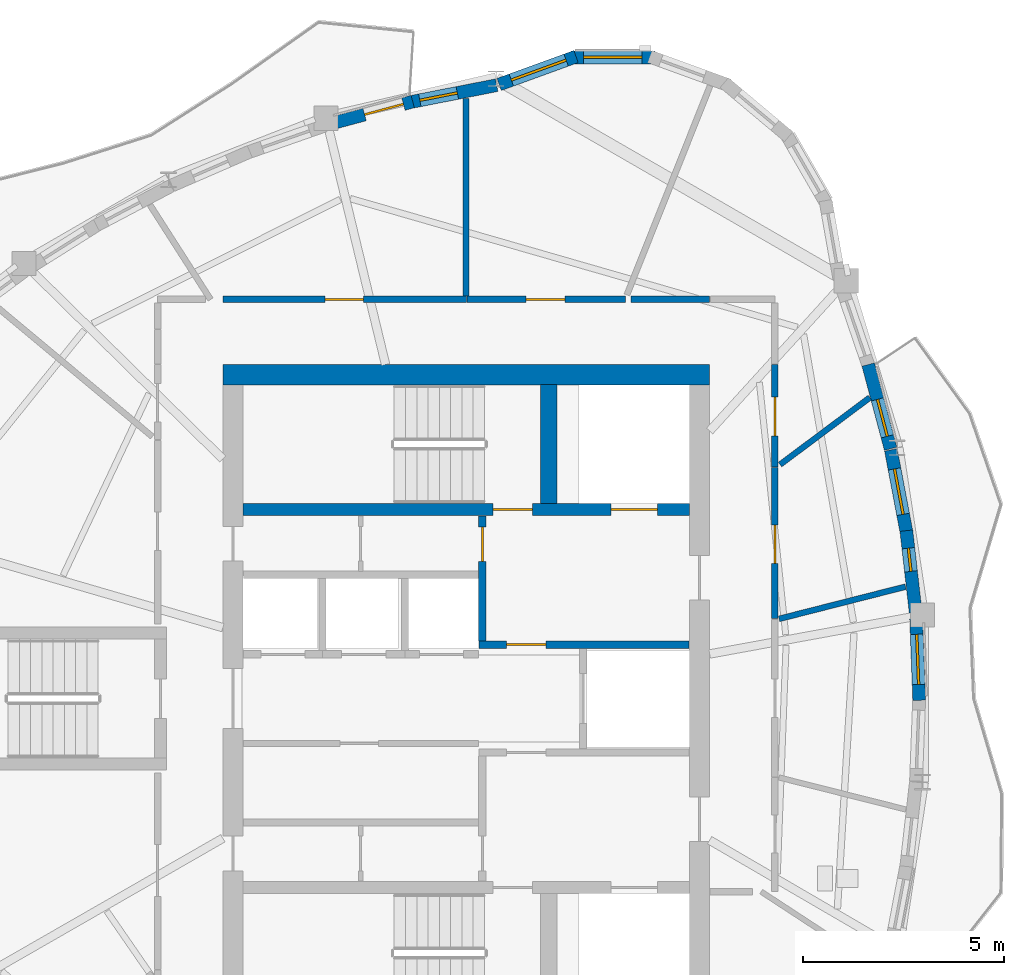
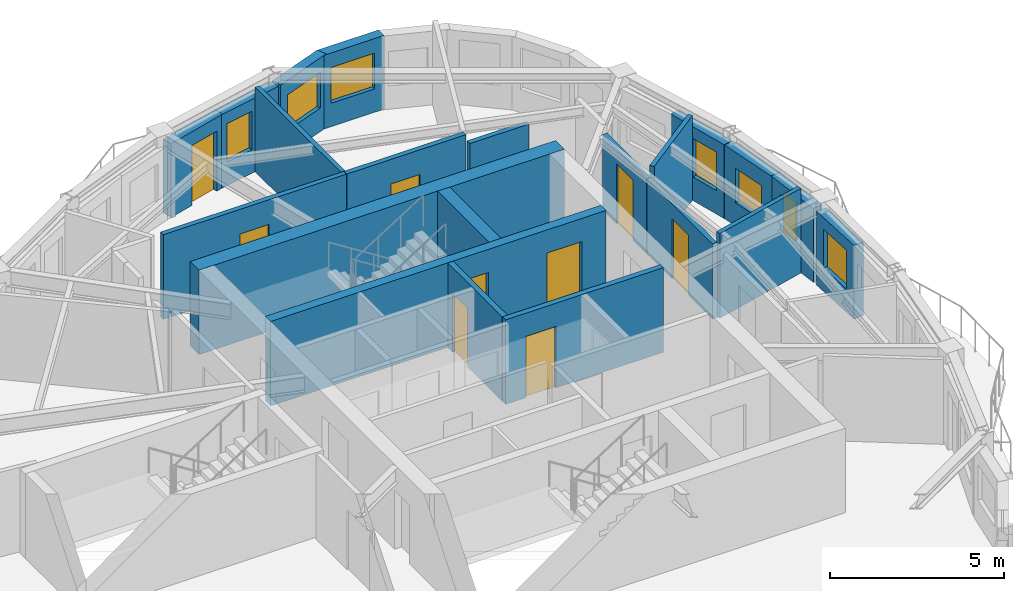
# One storey, part 6 of 11: 21 walls, 9 doors, 7 windows, 16 openings.
"""IFC4 building model written with IfcOpenShell, lengths in metres."""

from ifc_helpers import new_model, si_unit, direction, frame, frame_2d, origin, place, context, subcontext, project, spatial, rectangle, extrude, source, transform, mapped, material, layer, layer_set, type_object, element, fill, save


model = new_model("IFC4")

# Units and contexts
model_context = context("Model", 3, precision=1e-05, world=origin(), true_north=direction((0.0, 1.0)))
body_context = subcontext(model_context, "Body", "Model", "MODEL_VIEW")
ifc_project = project(units=[si_unit("LENGTHUNIT", "METRE"), si_unit("AREAUNIT", "SQUARE_METRE"), si_unit("VOLUMEUNIT", "CUBIC_METRE"), si_unit("PLANEANGLEUNIT", "RADIAN"), si_unit("MASSUNIT", "GRAM", prefix="KILO")], contexts=[model_context])

# Site, building, storey
site_placement = place(None, origin())
site = spatial("IfcSite", under=ifc_project, at=site_placement, CompositionType="ELEMENT")
building_placement = place(site_placement, origin())
building = spatial("IfcBuilding", under=site, at=building_placement, Name="Qafzar Sky-Pleat Residences", CompositionType="ELEMENT")
storey_placement = place(building_placement, frame((0.0, 0.0, 240.39990234375)))
storey = spatial("IfcBuildingStorey", under=building, at=storey_placement, Name="L72", CompositionType="ELEMENT", Elevation=240.39990234375)

# Wall, opening, door
ifc_material_1 = material(Name="Acoustic gypsum plasterboard partition", Category="gypsum")
ifc_layer_1 = layer(ifc_material_1, 0.159912109375)
ifc_layer_set_1 = layer_set([ifc_layer_1], Name="Acoustic gypsum plasterboard partition")
wall_type_1 = type_object("IfcWallType", Name="PART-COR-160", PredefinedType="PARTITIONING", material=ifc_layer_set_1)
wall_1_placement = place(storey_placement, frame((24.300048828125, 35.919921875, 0.0), z_axis=(0.0, 0.0, 1.0), x_axis=(1.0, 0.0, 0.0)))
wall_1 = element("IfcWall", 1, at=wall_1_placement, inside=storey, type_object=wall_type_1, Name="L72 Partition Wall PART-L72-PW-001", PredefinedType="PARTITIONING", context=body_context, shape_type="SweptSolid", body=[
    extrude(rectangle(XDim=6.057861328125, YDim=0.159912109375, at=frame_2d((3.02880859375, 0.0))), origin(), (0.0, 0.0, 1.0), 2.960205078125),
])
opening_1_placement = place(wall_1_placement, frame((2.54150390625, 0.0, 0.0)))
opening_1 = element("IfcOpeningElement", 2, at=opening_1_placement, cuts=wall_1, Name="Opening ID-06", PredefinedType="OPENING", context=body_context, shape_type="SweptSolid", body=[
    extrude(rectangle(XDim=0.9599609375, YDim=2.10009765625, at=frame_2d((0.47998046875, 1.050048828125))), frame((0.0, 0.08984375, 0.0), z_axis=(0.0, -1.0, 0.0), x_axis=(1.0, 0.0, 0.0)), (0.0, 0.0, 1.0), 0.179931640625),
])
ifc_material_2 = material(Name="Timber-faced fire door", Category="wood")
door_type_1 = type_object("IfcDoorType", Name="DR-STD-960", OperationType="NOTDEFINED", PredefinedType="DOOR", material=ifc_material_2)
shared_shape_1 = source(origin(), body_context, "Body", "SweptSolid", [
    extrude(rectangle(XDim=0.9599609375, YDim=2.10009765625, at=frame_2d((0.47998046875, 1.050048828125))), frame((0.0, 0.02490234375, 0.0), z_axis=(0.0, -1.0, 0.0), x_axis=(1.0, 0.0, 0.0)), (0.0, 0.0, 1.0), 0.050048828125),
])
door_1_placement = place(opening_1_placement, origin())
door_1 = element("IfcDoor", 3, at=door_1_placement, inside=storey, type_object=door_type_1, Name="L72 Faculty Research Office Door", OperationType="SINGLE_SWING_LEFT", OverallHeight=2.10009765625, OverallWidth=0.9599609375, PredefinedType="DOOR", context=body_context, shape_type="MappedRepresentation", body=[
    mapped(shared_shape_1, transform((0.0, 0.0, 0.0), x_axis=(1.0, 0.0, 0.0), y_axis=(0.0, 1.0, 0.0), z_axis=(0.0, 0.0, 1.0), scale=1.0)),
])
fill(opening_1, door_1)

wall_2_placement = place(storey_placement, frame((30.373046875, 35.919921875, 0.0), z_axis=(0.0, 0.0, 1.0), x_axis=(1.0, 0.0, 0.0)))
wall_2 = element("IfcWall", 4, at=wall_2_placement, inside=storey, type_object=wall_type_1, Name="L72 Partition Wall PART-L72-PW-004", PredefinedType="PARTITIONING", context=body_context, shape_type="SweptSolid", body=[
    extrude(rectangle(XDim=3.93994140625, YDim=0.159912109375, at=frame_2d((1.969970703125, 0.0))), origin(), (0.0, 0.0, 1.0), 2.960205078125),
])
opening_2_placement = place(wall_2_placement, frame((1.467041015625, 0.0, 0.0)))
opening_2 = element("IfcOpeningElement", 5, at=opening_2_placement, cuts=wall_2, Name="Opening ID-06", PredefinedType="OPENING", context=body_context, shape_type="SweptSolid", body=[
    extrude(rectangle(XDim=0.9599609375, YDim=2.10009765625, at=frame_2d((0.47998046875, 1.050048828125))), frame((0.0, 0.08984375, 0.0), z_axis=(0.0, -1.0, 0.0), x_axis=(1.0, 0.0, 0.0)), (0.0, 0.0, 1.0), 0.179931640625),
])
door_2_placement = place(opening_2_placement, origin())
door_2 = element("IfcDoor", 6, at=door_2_placement, inside=storey, type_object=door_type_1, Name="L72 Reading Library Door", OperationType="SINGLE_SWING_LEFT", OverallHeight=2.10009765625, OverallWidth=0.9599609375, PredefinedType="DOOR", context=body_context, shape_type="MappedRepresentation", body=[
    mapped(shared_shape_1, transform((0.0, 0.0, 0.0), x_axis=(1.0, 0.0, 0.0), y_axis=(0.0, 1.0, 0.0), z_axis=(0.0, 0.0, 1.0), scale=1.0)),
])
fill(opening_2, door_2)

wall_3_placement = place(storey_placement, frame((38.02001953125, 31.739013671875, 0.0), z_axis=(0.0, 0.0, 1.0), x_axis=(0.0, -1.0, 0.0)))
wall_3 = element("IfcWall", 7, at=wall_3_placement, inside=storey, type_object=wall_type_1, Name="L72 Partition Wall PART-L72-PW-006", PredefinedType="PARTITIONING", context=body_context, shape_type="SweptSolid", body=[
    extrude(rectangle(XDim=3.755126953125, YDim=0.159912109375, at=frame_2d((1.87744140625, 0.0))), origin(), (0.0, 0.0, 1.0), 2.628173828125),
])
opening_3_placement = place(wall_3_placement, frame((1.422119140625, 0.0, 0.0)))
opening_3 = element("IfcOpeningElement", 8, at=opening_3_placement, cuts=wall_3, Name="Opening ID-06", PredefinedType="OPENING", context=body_context, shape_type="SweptSolid", body=[
    extrude(rectangle(XDim=0.9599609375, YDim=2.10009765625, at=frame_2d((0.47998046875, 1.050048828125))), frame((0.0, 0.08984375, 0.0), z_axis=(0.0, -1.0, 0.0), x_axis=(1.0, 0.0, 0.0)), (0.0, 0.0, 1.0), 0.179931640625),
])
door_3_placement = place(opening_3_placement, origin())
door_3 = element("IfcDoor", 9, at=door_3_placement, inside=storey, type_object=door_type_1, Name="L72 Music Practice Room Door", OperationType="SINGLE_SWING_LEFT", OverallHeight=2.10009765625, OverallWidth=0.9599609375, PredefinedType="DOOR", context=body_context, shape_type="MappedRepresentation", body=[
    mapped(shared_shape_1, transform((0.0, 0.0, 0.0), x_axis=(1.0, 0.0, 0.0), y_axis=(0.0, 1.0, 0.0), z_axis=(0.0, 0.0, 1.0), scale=1.0)),
])
fill(opening_3, door_3)

wall_4_placement = place(storey_placement, frame((38.02001953125, 31.75390625, 0.0), z_axis=(0.0, 0.0, 1.0), x_axis=(0.0, 1.0, 0.0)))
wall_4 = element("IfcWall", 10, at=wall_4_placement, inside=storey, type_object=wall_type_1, Name="L72 Partition Wall PART-L72-PW-008", PredefinedType="PARTITIONING", context=body_context, shape_type="SweptSolid", body=[
    extrude(rectangle(XDim=2.546142578125, YDim=0.159912109375, at=frame_2d((1.27294921875, 0.0))), origin(), (0.0, 0.0, 1.0), 2.628173828125),
])
opening_4_placement = place(wall_4_placement, frame((0.77587890625, 0.0, 0.0)))
opening_4 = element("IfcOpeningElement", 11, at=opening_4_placement, cuts=wall_4, Name="Opening ID-06", PredefinedType="OPENING", context=body_context, shape_type="SweptSolid", body=[
    extrude(rectangle(XDim=0.9599609375, YDim=2.10009765625, at=frame_2d((0.47998046875, 1.050048828125))), frame((0.0, 0.08984375, 0.0), z_axis=(0.0, -1.0, 0.0), x_axis=(1.0, 0.0, 0.0)), (0.0, 0.0, 1.0), 0.179931640625),
])
door_4_placement = place(opening_4_placement, origin())
door_4 = element("IfcDoor", 12, at=door_4_placement, inside=storey, type_object=door_type_1, Name="L72 Wellness Yoga Studio Door", OperationType="SINGLE_SWING_LEFT", OverallHeight=2.10009765625, OverallWidth=0.9599609375, PredefinedType="DOOR", context=body_context, shape_type="MappedRepresentation", body=[
    mapped(shared_shape_1, transform((0.0, 0.0, 0.0), x_axis=(1.0, 0.0, 0.0), y_axis=(0.0, 1.0, 0.0), z_axis=(0.0, 0.0, 1.0), scale=1.0)),
])
fill(opening_4, door_4)

# Wall
wall_5_placement = place(storey_placement, frame((34.44580078125, 35.919921875, 0.0), z_axis=(0.0, 0.0, 1.0), x_axis=(1.0, 0.0, 0.0)))
element("IfcWall", 13, at=wall_5_placement, inside=storey, type_object=wall_type_1, Name="L72 Partition Wall PART-L72-PW-021", PredefinedType="PARTITIONING", context=body_context, shape_type="SweptSolid", body=[
    extrude(rectangle(XDim=1.9541015625, YDim=0.159912109375, at=frame_2d((0.97705078125, 0.0))), origin(), (0.0, 0.0, 1.0), 2.59814453125),
])

# Wall, opening, door
ifc_material_3 = material(Name="Concrete blockwork partition", Category="masonry")
ifc_layer_2 = layer(ifc_material_3, 0.179931640625)
ifc_layer_set_2 = layer_set([ifc_layer_2], Name="Concrete blockwork partition")
wall_type_2 = type_object("IfcWallType", Name="PART-SHAFT-180", PredefinedType="PARTITIONING", material=ifc_layer_set_2)
wall_6_placement = place(storey_placement, frame((30.75, 27.429931640625, 0.0), z_axis=(0.0, 0.0, 1.0), x_axis=(0.0, 1.0, 0.0)))
wall_6 = element("IfcWall", 14, at=wall_6_placement, inside=storey, type_object=wall_type_2, Name="L72 Partition Wall PART-L72-FFL2-W", PredefinedType="PARTITIONING", context=body_context, shape_type="SweptSolid", body=[
    extrude(rectangle(XDim=3.110107421875, YDim=0.179931640625, at=frame_2d((1.55517578125, 0.0))), origin(), (0.0, 0.0, 1.0), 2.960205078125),
])
opening_5_placement = place(wall_6_placement, frame((1.97998046875, 0.0, 0.0)))
opening_5 = element("IfcOpeningElement", 15, at=opening_5_placement, cuts=wall_6, Name="Opening ID-09", PredefinedType="OPENING", context=body_context, shape_type="SweptSolid", body=[
    extrude(rectangle(XDim=0.860107421875, YDim=2.050048828125, at=frame_2d((0.43017578125, 1.02490234375))), frame((0.0, 0.10009765625, 0.0), z_axis=(0.0, -1.0, 0.0), x_axis=(1.0, 0.0, 0.0)), (0.0, 0.0, 1.0), 0.199951171875),
])
door_type_2 = type_object("IfcDoorType", Name="DR-SVC-860", OperationType="NOTDEFINED", PredefinedType="DOOR", material=ifc_material_2)
shared_shape_2 = source(origin(), body_context, "Body", "SweptSolid", [
    extrude(rectangle(XDim=0.860107421875, YDim=2.050048828125, at=frame_2d((0.43017578125, 1.02490234375))), frame((0.0, 0.02490234375, 0.0), z_axis=(0.0, -1.0, 0.0), x_axis=(1.0, 0.0, 0.0)), (0.0, 0.0, 1.0), 0.050048828125),
])
door_5_placement = place(opening_5_placement, origin())
door_5 = element("IfcDoor", 16, at=door_5_placement, inside=storey, type_object=door_type_2, Name="L72 North Core Cupboard Door", OperationType="SINGLE_SWING_RIGHT", OverallHeight=2.050048828125, OverallWidth=0.860107421875, PredefinedType="DOOR", context=body_context, shape_type="MappedRepresentation", body=[
    mapped(shared_shape_2, transform((0.0, 0.0, 0.0), x_axis=(1.0, 0.0, 0.0), y_axis=(0.0, 1.0, 0.0), z_axis=(0.0, 0.0, 1.0), scale=1.0)),
])
fill(opening_5, door_5)

wall_7_placement = place(storey_placement, frame((30.669921875, 27.340087890625, 0.0), z_axis=(0.0, 0.0, 1.0), x_axis=(1.0, 0.0, 0.0)))
wall_7 = element("IfcWall", 17, at=wall_7_placement, inside=storey, type_object=wall_type_2, Name="L72 Partition Wall PART-L72-FFL2-S", PredefinedType="PARTITIONING", context=body_context, shape_type="SweptSolid", body=[
    extrude(rectangle(XDim=5.219970703125, YDim=0.179931640625, at=frame_2d((2.60986328125, 0.0))), origin(), (0.0, 0.0, 1.0), 2.960205078125),
])
opening_6_placement = place(wall_7_placement, frame((0.679931640625, 0.0, 0.0)))
opening_6 = element("IfcOpeningElement", 18, at=opening_6_placement, cuts=wall_7, Name="Opening ID-01", PredefinedType="OPENING", context=body_context, shape_type="SweptSolid", body=[
    extrude(rectangle(XDim=0.97998046875, YDim=2.14990234375, at=frame_2d((0.489990234375, 1.074951171875))), frame((0.0, 0.10009765625, 0.0), z_axis=(0.0, -1.0, 0.0), x_axis=(1.0, 0.0, 0.0)), (0.0, 0.0, 1.0), 0.199951171875),
])
door_type_3 = type_object("IfcDoorType", Name="DR-STAIR-980", OperationType="NOTDEFINED", PredefinedType="DOOR", material=ifc_material_2)
shared_shape_3 = source(origin(), body_context, "Body", "SweptSolid", [
    extrude(rectangle(XDim=0.97998046875, YDim=2.14990234375, at=frame_2d((0.489990234375, 1.074951171875))), frame((0.0, 0.02490234375, 0.0), z_axis=(0.0, -1.0, 0.0), x_axis=(1.0, 0.0, 0.0)), (0.0, 0.0, 1.0), 0.050048828125),
])
door_6_placement = place(opening_6_placement, origin())
door_6 = element("IfcDoor", 19, at=door_6_placement, inside=storey, type_object=door_type_3, Name="L72 Lift Lobby to North Firefighting Lobby Door", OperationType="SINGLE_SWING_LEFT", OverallHeight=2.14990234375, OverallWidth=0.97998046875, PredefinedType="DOOR", context=body_context, shape_type="MappedRepresentation", body=[
    mapped(shared_shape_3, transform((0.0, 0.0, 0.0), x_axis=(1.0, 0.0, 0.0), y_axis=(0.0, 1.0, 0.0), z_axis=(0.0, 0.0, 1.0), scale=1.0)),
])
fill(opening_6, door_6)

# Walls
ifc_layer_3 = layer(ifc_material_1, 0.14501953125)
ifc_layer_set_3 = layer_set([ifc_layer_3], Name="Acoustic gypsum plasterboard partition")
wall_type_3 = type_object("IfcWallType", Name="PART-UNIT-145", PredefinedType="PARTITIONING", material=ifc_layer_set_3)
wall_8_placement = place(storey_placement, frame((30.340087890625, 40.909912109375, 0.0), z_axis=(0.0, 0.0, 1.0), x_axis=(0.000597668984, -0.999999821396, 0.0)))
element("IfcWall", 20, at=wall_8_placement, inside=storey, type_object=wall_type_3, Name="L72 Partition Wall PART-L72-PW-014", PredefinedType="PARTITIONING", context=body_context, shape_type="SweptSolid", body=[
    extrude(rectangle(XDim=4.90185546875, YDim=0.14501953125, at=frame_2d((2.450927734375, 0.0))), origin(), (0.0, 0.0, 1.0), 2.960205078125),
])
wall_9_placement = place(storey_placement, frame((38.12548828125, 27.98095703125, 0.0), z_axis=(0.0, 0.0, 1.0), x_axis=(0.969102081124, 0.246660001541, 0.0)))
element("IfcWall", 21, at=wall_9_placement, inside=storey, type_object=wall_type_3, Name="L72 Partition Wall PART-L72-PW-018", PredefinedType="PARTITIONING", context=body_context, shape_type="SweptSolid", body=[
    extrude(rectangle(XDim=3.243408203125, YDim=0.14501953125, at=frame_2d((1.62158203125, 0.0))), origin(), (0.0, 0.0, 1.0), 2.960205078125),
])
wall_10_placement = place(storey_placement, frame((38.14990234375, 31.81689453125, 0.0), z_axis=(0.0, 0.0, 1.0), x_axis=(0.8016068225, 0.597851571982, 0.0)))
element("IfcWall", 22, at=wall_10_placement, inside=storey, type_object=wall_type_3, Name="L72 Partition Wall PART-L72-PW-019", PredefinedType="PARTITIONING", context=body_context, shape_type="SweptSolid", body=[
    extrude(rectangle(XDim=2.78466796875, YDim=0.14501953125, at=frame_2d((1.392333984375, 0.0))), origin(), (0.0, 0.0, 1.0), 2.960205078125),
])

# Wall, opening, window
ifc_material_4 = material(Name="Precast concrete C40/50 with honed Riyadh limestone", Category="concrete")
ifc_layer_4 = layer(ifc_material_4, 0.320068359375)
ifc_layer_set_4 = layer_set([ifc_layer_4], Name="Precast concrete C40/50 with honed Riyadh limestone")
wall_type_4 = type_object("IfcWallType", Name="WALL-EXT-320", PredefinedType="SOLIDWALL", material=ifc_layer_set_4)
wall_11_placement = place(storey_placement, frame((41.609619140625, 25.9560546875, 0.0), z_axis=(0.0, 0.0, 1.0), x_axis=(-0.038076792699, 0.999274815983, 0.0)))
wall_11 = element("IfcWall", 23, at=wall_11_placement, inside=storey, type_object=wall_type_4, Name="L72 Limestone Facade Wall 28", PredefinedType="SOLIDWALL", context=body_context, shape_type="SweptSolid", body=[
    extrude(rectangle(XDim=2.026123046875, YDim=0.320068359375, at=frame_2d((1.01318359375, 0.0))), origin(), (0.0, 0.0, 1.0), 2.580078125),
])
opening_7_placement = place(wall_11_placement, frame((0.39306640625, 0.0, 0.820068359375)))
opening_7 = element("IfcOpeningElement", 24, at=opening_7_placement, cuts=wall_11, Name="Opening WN-11", PredefinedType="OPENING", context=body_context, shape_type="SweptSolid", body=[
    extrude(rectangle(XDim=1.25, YDim=1.35009765625, at=frame_2d((0.625, 0.675048828125))), frame((0.0, 0.169921875, 0.0), z_axis=(0.0, -1.0, 0.0), x_axis=(1.0, 0.0, 0.0)), (0.0, 0.0, 1.0), 0.340087890625),
])
ifc_material_5 = material(Name="Solar-control low-E glass in bronze aluminium frame", Category="glass")
window_type_1 = type_object("IfcWindowType", Name="WIN-11", PartitioningType="SINGLE_PANEL", PredefinedType="WINDOW", material=ifc_material_5)
shared_shape_4 = source(origin(), body_context, "Body", "SweptSolid", [
    extrude(rectangle(XDim=1.25, YDim=1.35009765625, at=frame_2d((0.625, 0.675048828125))), frame((0.0, 0.030029296875, 0.0), z_axis=(0.0, -1.0, 0.0), x_axis=(1.0, 0.0, 0.0)), (0.0, 0.0, 1.0), 0.06005859375),
])
window_1_placement = place(opening_7_placement, origin())
window_1 = element("IfcWindow", 25, at=window_1_placement, inside=storey, type_object=window_type_1, Name="L72 Punched Facade Window 28", OverallHeight=1.35009765625, OverallWidth=1.25, PartitioningType="SINGLE_PANEL", PredefinedType="WINDOW", context=body_context, shape_type="MappedRepresentation", body=[
    mapped(shared_shape_4, transform((0.0, 0.0, 0.0), x_axis=(1.0, 0.0, 0.0), y_axis=(0.0, 1.0, 0.0), z_axis=(0.0, 0.0, 1.0), scale=1.0)),
])
fill(opening_7, window_1)

wall_12_placement = place(storey_placement, frame((41.519775390625, 28.14794921875, 0.0), z_axis=(0.0, 0.0, 1.0), x_axis=(-0.113310120223, 0.993559669398, 0.0)))
wall_12 = element("IfcWall", 26, at=wall_12_placement, inside=storey, type_object=wall_type_4, Name="L72 Limestone Facade Wall 29", PredefinedType="SOLIDWALL", context=body_context, shape_type="SweptSolid", body=[
    extrude(rectangle(XDim=2.038330078125, YDim=0.320068359375, at=frame_2d((1.01904296875, 0.0))), origin(), (0.0, 0.0, 1.0), 2.580078125),
])
opening_8_placement = place(wall_12_placement, frame((1.019775390625, 0.0, 0.820068359375)))
opening_8 = element("IfcOpeningElement", 27, at=opening_8_placement, cuts=wall_12, Name="Opening WN-17", PredefinedType="OPENING", context=body_context, shape_type="SweptSolid", body=[
    extrude(rectangle(XDim=0.580078125, YDim=1.35009765625, at=frame_2d((0.2900390625, 0.675048828125))), frame((0.0, 0.169921875, 0.0), z_axis=(0.0, -1.0, 0.0), x_axis=(1.0, 0.0, 0.0)), (0.0, 0.0, 1.0), 0.340087890625),
])
window_type_2 = type_object("IfcWindowType", Name="WIN-17", PartitioningType="SINGLE_PANEL", PredefinedType="WINDOW", material=ifc_material_5)
shared_shape_5 = source(origin(), body_context, "Body", "SweptSolid", [
    extrude(rectangle(XDim=0.580078125, YDim=1.35009765625, at=frame_2d((0.2900390625, 0.675048828125))), frame((0.0, 0.030029296875, 0.0), z_axis=(0.0, -1.0, 0.0), x_axis=(1.0, 0.0, 0.0)), (0.0, 0.0, 1.0), 0.06005859375),
])
window_2_placement = place(opening_8_placement, origin())
window_2 = element("IfcWindow", 28, at=window_2_placement, inside=storey, type_object=window_type_2, Name="L72 Punched Facade Window 29-2", OverallHeight=1.35009765625, OverallWidth=0.580078125, PartitioningType="SINGLE_PANEL", PredefinedType="WINDOW", context=body_context, shape_type="MappedRepresentation", body=[
    mapped(shared_shape_5, transform((0.0, 0.0, 0.0), x_axis=(1.0, 0.0, 0.0), y_axis=(0.0, 1.0, 0.0), z_axis=(0.0, 0.0, 1.0), scale=1.0)),
])
fill(opening_8, window_2)

wall_13_placement = place(storey_placement, frame((41.302001953125, 30.086181640625, 0.0), z_axis=(0.0, 0.0, 1.0), x_axis=(-0.186549011882, 0.982445655579, 0.0)))
wall_13 = element("IfcWall", 29, at=wall_13_placement, inside=storey, type_object=wall_type_4, Name="L72 Limestone Facade Wall 30", PredefinedType="SOLIDWALL", context=body_context, shape_type="SweptSolid", body=[
    extrude(rectangle(XDim=2.1318359375, YDim=0.320068359375, at=frame_2d((1.06591796875, 0.0))), origin(), (0.0, 0.0, 1.0), 2.580078125),
])
opening_9_placement = place(wall_13_placement, frame((0.5009765625, 0.0, 0.820068359375)))
opening_9 = element("IfcOpeningElement", 30, at=opening_9_placement, cuts=wall_13, Name="Opening WN-16", PredefinedType="OPENING", context=body_context, shape_type="SweptSolid", body=[
    extrude(rectangle(XDim=1.14990234375, YDim=1.199951171875, at=frame_2d((0.574951171875, 0.60009765625))), frame((0.0, 0.169921875, 0.0), z_axis=(0.0, -1.0, 0.0), x_axis=(1.0, 0.0, 0.0)), (0.0, 0.0, 1.0), 0.340087890625),
])
window_type_3 = type_object("IfcWindowType", Name="WIN-16", PartitioningType="SINGLE_PANEL", PredefinedType="WINDOW", material=ifc_material_5)
shared_shape_6 = source(origin(), body_context, "Body", "SweptSolid", [
    extrude(rectangle(XDim=1.14990234375, YDim=1.199951171875, at=frame_2d((0.574951171875, 0.60009765625))), frame((0.0, 0.030029296875, 0.0), z_axis=(0.0, -1.0, 0.0), x_axis=(1.0, 0.0, 0.0)), (0.0, 0.0, 1.0), 0.06005859375),
])
window_3_placement = place(opening_9_placement, origin())
window_3 = element("IfcWindow", 31, at=window_3_placement, inside=storey, type_object=window_type_3, Name="L72 Punched Facade Window 30", OverallHeight=1.199951171875, OverallWidth=1.14990234375, PartitioningType="SINGLE_PANEL", PredefinedType="WINDOW", context=body_context, shape_type="MappedRepresentation", body=[
    mapped(shared_shape_6, transform((0.0, 0.0, 0.0), x_axis=(1.0, 0.0, 0.0), y_axis=(0.0, 1.0, 0.0), z_axis=(0.0, 0.0, 1.0), scale=1.0)),
])
fill(opening_9, window_3)

wall_14_placement = place(storey_placement, frame((40.89794921875, 32.20849609375, 0.0), z_axis=(0.0, 0.0, 1.0), x_axis=(-0.257115616442, 0.966380649528, 0.0)))
wall_14 = element("IfcWall", 32, at=wall_14_placement, inside=storey, type_object=wall_type_4, Name="L72 Limestone Facade Wall 31", PredefinedType="SOLIDWALL", context=body_context, shape_type="SweptSolid", body=[
    extrude(rectangle(XDim=2.166748046875, YDim=0.320068359375, at=frame_2d((1.08349609375, 0.0))), origin(), (0.0, 0.0, 1.0), 2.580078125),
])
opening_10_placement = place(wall_14_placement, frame((0.32080078125, 0.0, 0.820068359375)))
opening_10 = element("IfcOpeningElement", 33, at=opening_10_placement, cuts=wall_14, Name="Opening WN-12", PredefinedType="OPENING", context=body_context, shape_type="SweptSolid", body=[
    extrude(rectangle(XDim=0.949951171875, YDim=1.35009765625, at=frame_2d((0.47509765625, 0.675048828125))), frame((0.0, 0.169921875, 0.0), z_axis=(0.0, -1.0, 0.0), x_axis=(1.0, 0.0, 0.0)), (0.0, 0.0, 1.0), 0.340087890625),
])
window_type_4 = type_object("IfcWindowType", Name="WIN-12", PartitioningType="SINGLE_PANEL", PredefinedType="WINDOW", material=ifc_material_5)
shared_shape_7 = source(origin(), body_context, "Body", "SweptSolid", [
    extrude(rectangle(XDim=0.949951171875, YDim=1.35009765625, at=frame_2d((0.47509765625, 0.675048828125))), frame((0.0, 0.030029296875, 0.0), z_axis=(0.0, -1.0, 0.0), x_axis=(1.0, 0.0, 0.0)), (0.0, 0.0, 1.0), 0.06005859375),
])
window_4_placement = place(opening_10_placement, origin())
window_4 = element("IfcWindow", 34, at=window_4_placement, inside=storey, type_object=window_type_4, Name="L72 Punched Facade Window 31", OverallHeight=1.35009765625, OverallWidth=0.949951171875, PartitioningType="SINGLE_PANEL", PredefinedType="WINDOW", context=body_context, shape_type="MappedRepresentation", body=[
    mapped(shared_shape_7, transform((0.0, 0.0, 0.0), x_axis=(1.0, 0.0, 0.0), y_axis=(0.0, 1.0, 0.0), z_axis=(0.0, 0.0, 1.0), scale=1.0)),
])
fill(opening_10, window_4)

wall_15_placement = place(storey_placement, frame((35.040283203125, 41.935546875, 0.0), z_axis=(0.0, 0.0, 1.0), x_axis=(-1.0, 0.0, 0.0)))
wall_15 = element("IfcWall", 35, at=wall_15_placement, inside=storey, type_object=wall_type_4, Name="L72 Limestone Facade Wall 37", PredefinedType="SOLIDWALL", context=body_context, shape_type="SweptSolid", body=[
    extrude(rectangle(XDim=2.090576171875, YDim=0.320068359375, at=frame_2d((1.04541015625, 0.0))), origin(), (0.0, 0.0, 1.0), 2.580078125),
])
opening_11_placement = place(wall_15_placement, frame((0.3203125, 0.0, 0.820068359375)))
opening_11 = element("IfcOpeningElement", 36, at=opening_11_placement, cuts=wall_15, Name="Opening WN-15", PredefinedType="OPENING", context=body_context, shape_type="SweptSolid", body=[
    extrude(rectangle(XDim=1.449951171875, YDim=1.25, at=frame_2d((0.72509765625, 0.625))), frame((0.0, 0.169921875, 0.0), z_axis=(0.0, -1.0, 0.0), x_axis=(1.0, 0.0, 0.0)), (0.0, 0.0, 1.0), 0.340087890625),
])
window_type_5 = type_object("IfcWindowType", Name="WIN-15", PartitioningType="SINGLE_PANEL", PredefinedType="WINDOW", material=ifc_material_5)
shared_shape_8 = source(origin(), body_context, "Body", "SweptSolid", [
    extrude(rectangle(XDim=1.449951171875, YDim=1.25, at=frame_2d((0.72509765625, 0.625))), frame((0.0, 0.030029296875, 0.0), z_axis=(0.0, -1.0, 0.0), x_axis=(1.0, 0.0, 0.0)), (0.0, 0.0, 1.0), 0.06005859375),
])
window_5_placement = place(opening_11_placement, origin())
window_5 = element("IfcWindow", 37, at=window_5_placement, inside=storey, type_object=window_type_5, Name="L72 Punched Facade Window 37", OverallHeight=1.25, OverallWidth=1.449951171875, PartitioningType="SINGLE_PANEL", PredefinedType="WINDOW", context=body_context, shape_type="MappedRepresentation", body=[
    mapped(shared_shape_8, transform((0.0, 0.0, 0.0), x_axis=(1.0, 0.0, 0.0), y_axis=(0.0, 1.0, 0.0), z_axis=(0.0, 0.0, 1.0), scale=1.0)),
])
fill(opening_11, window_5)

wall_16_placement = place(storey_placement, frame((33.078125, 41.9580078125, 0.0), z_axis=(0.0, 0.0, 1.0), x_axis=(-0.939730268502, -0.341916689358, 0.0)))
wall_16 = element("IfcWall", 38, at=wall_16_placement, inside=storey, type_object=wall_type_4, Name="L72 Limestone Facade Wall 38", PredefinedType="SOLIDWALL", context=body_context, shape_type="SweptSolid", body=[
    extrude(rectangle(XDim=2.0322265625, YDim=0.320068359375, at=frame_2d((1.01611328125, 0.0))), origin(), (0.0, 0.0, 1.0), 2.580078125),
])
opening_12_placement = place(wall_16_placement, frame((0.260986328125, 0.0, 0.820068359375)))
opening_12 = element("IfcOpeningElement", 39, at=opening_12_placement, cuts=wall_16, Name="Opening WN-15", PredefinedType="OPENING", context=body_context, shape_type="SweptSolid", body=[
    extrude(rectangle(XDim=1.449951171875, YDim=1.25, at=frame_2d((0.72509765625, 0.625))), frame((0.0, 0.169921875, 0.0), z_axis=(0.0, -1.0, 0.0), x_axis=(1.0, 0.0, 0.0)), (0.0, 0.0, 1.0), 0.340087890625),
])
window_6_placement = place(opening_12_placement, origin())
window_6 = element("IfcWindow", 40, at=window_6_placement, inside=storey, type_object=window_type_5, Name="L72 Punched Facade Window 38", OverallHeight=1.25, OverallWidth=1.449951171875, PartitioningType="SINGLE_PANEL", PredefinedType="WINDOW", context=body_context, shape_type="MappedRepresentation", body=[
    mapped(shared_shape_8, transform((0.0, 0.0, 0.0), x_axis=(1.0, 0.0, 0.0), y_axis=(0.0, 1.0, 0.0), z_axis=(0.0, 0.0, 1.0), scale=1.0)),
])
fill(opening_12, window_6)

wall_17_placement = place(storey_placement, frame((31.106201171875, 41.24560546875, 0.0), z_axis=(0.0, 0.0, 1.0), x_axis=(-0.981245466498, -0.192762378272, 0.0)))
wall_17 = element("IfcWall", 41, at=wall_17_placement, inside=storey, type_object=wall_type_4, Name="L72 Limestone Facade Wall 39", PredefinedType="SOLIDWALL", context=body_context, shape_type="SweptSolid", body=[
    extrude(rectangle(XDim=2.212646484375, YDim=0.320068359375, at=frame_2d((1.1064453125, 0.0))), origin(), (0.0, 0.0, 1.0), 2.580078125),
])
opening_13_placement = place(wall_17_placement, frame((0.99658203125, 0.0, 0.820068359375)))
opening_13 = element("IfcOpeningElement", 42, at=opening_13_placement, cuts=wall_17, Name="Opening WN-12", PredefinedType="OPENING", context=body_context, shape_type="SweptSolid", body=[
    extrude(rectangle(XDim=0.949951171875, YDim=1.35009765625, at=frame_2d((0.47509765625, 0.675048828125))), frame((0.0, 0.169921875, 0.0), z_axis=(0.0, -1.0, 0.0), x_axis=(1.0, 0.0, 0.0)), (0.0, 0.0, 1.0), 0.340087890625),
])
window_7_placement = place(opening_13_placement, origin())
window_7 = element("IfcWindow", 43, at=window_7_placement, inside=storey, type_object=window_type_4, Name="L72 Punched Facade Window 39-2", OverallHeight=1.35009765625, OverallWidth=0.949951171875, PartitioningType="SINGLE_PANEL", PredefinedType="WINDOW", context=body_context, shape_type="MappedRepresentation", body=[
    mapped(shared_shape_7, transform((0.0, 0.0, 0.0), x_axis=(1.0, 0.0, 0.0), y_axis=(0.0, 1.0, 0.0), z_axis=(0.0, 0.0, 1.0), scale=1.0)),
])
fill(opening_13, window_7)

# Wall, opening, door
wall_18_placement = place(storey_placement, frame((29.019775390625, 40.838623046875, 0.0), z_axis=(0.0, 0.0, 1.0), x_axis=(-0.965482976667, -0.260466162422, 0.0)))
wall_18 = element("IfcWall", 44, at=wall_18_placement, inside=storey, type_object=wall_type_4, Name="L72 Limestone Facade Wall 40", PredefinedType="SOLIDWALL", context=body_context, shape_type="SweptSolid", body=[
    extrude(rectangle(XDim=2.0966796875, YDim=0.320068359375, at=frame_2d((1.04833984375, 0.0))), origin(), (0.0, 0.0, 1.0), 2.580078125),
])
opening_14_placement = place(wall_18_placement, frame((0.239990234375, 0.0, 0.0)))
opening_14 = element("IfcOpeningElement", 45, at=opening_14_placement, cuts=wall_18, Name="Opening ED-05", PredefinedType="OPENING", context=body_context, shape_type="SweptSolid", body=[
    extrude(rectangle(XDim=1.0, YDim=2.10009765625, at=frame_2d((0.5, 1.050048828125))), frame((0.0, 0.169921875, 0.0), z_axis=(0.0, -1.0, 0.0), x_axis=(1.0, 0.0, 0.0)), (0.0, 0.0, 1.0), 0.340087890625),
])
ifc_material_6 = material(Name="Glazed bronze aluminium door", Category="aluminium")
door_type_4 = type_object("IfcDoorType", Name="DR-BAL-1000", OperationType="NOTDEFINED", PredefinedType="DOOR", material=ifc_material_6)
shared_shape_9 = source(origin(), body_context, "Body", "SweptSolid", [
    extrude(rectangle(XDim=1.0, YDim=2.10009765625, at=frame_2d((0.5, 1.050048828125))), frame((0.0, 0.02490234375, 0.0), z_axis=(0.0, -1.0, 0.0), x_axis=(1.0, 0.0, 0.0)), (0.0, 0.0, 1.0), 0.050048828125),
])
door_7_placement = place(opening_14_placement, origin())
door_7 = element("IfcDoor", 46, at=door_7_placement, inside=storey, type_object=door_type_4, Name="L72 Glazed Balcony Door 2", OperationType="SINGLE_SWING_LEFT", OverallHeight=2.10009765625, OverallWidth=1.0, PredefinedType="DOOR", context=body_context, shape_type="MappedRepresentation", body=[
    mapped(shared_shape_9, transform((0.0, 0.0, 0.0), x_axis=(1.0, 0.0, 0.0), y_axis=(0.0, 1.0, 0.0), z_axis=(0.0, 0.0, 1.0), scale=1.0)),
])
fill(opening_14, door_7)

# Wall, openings, doors
ifc_material_7 = material(Name="Concrete C60/75", Category="concrete")
ifc_layer_5 = layer(ifc_material_7, 0.300048828125)
ifc_layer_set_5 = layer_set([ifc_layer_5], Name="Concrete C60/75")
wall_type_5 = type_object("IfcWallType", Name="WALL-SHEAR-300", PredefinedType="SHEAR", material=ifc_layer_set_5)
wall_19_placement = place(storey_placement, frame((24.800048828125, 30.699951171875, 0.0), z_axis=(0.0, 0.0, 1.0), x_axis=(1.0, 0.0, 0.0)))
wall_19 = element("IfcWall", 47, at=wall_19_placement, inside=storey, type_object=wall_type_5, Name="L72 Stair ST2 and FF2 Shaft South Wall", PredefinedType="SHEAR", context=body_context, shape_type="SweptSolid", body=[
    extrude(rectangle(XDim=11.099853515625, YDim=0.300048828125, at=frame_2d((5.5498046875, 0.0))), origin(), (0.0, 0.0, 1.0), 2.960205078125),
])
opening_15_placement = place(wall_19_placement, frame((6.219970703125, 0.0, 0.0)))
opening_15 = element("IfcOpeningElement", 48, at=opening_15_placement, cuts=wall_19, Name="Opening ID-01", PredefinedType="OPENING", context=body_context, shape_type="SweptSolid", body=[
    extrude(rectangle(XDim=0.97998046875, YDim=2.14990234375, at=frame_2d((0.489990234375, 1.074951171875))), frame((0.0, 0.16015625, 0.0), z_axis=(0.0, -1.0, 0.0), x_axis=(1.0, 0.0, 0.0)), (0.0, 0.0, 1.0), 0.320068359375),
])
opening_16_placement = place(wall_19_placement, frame((9.14990234375, 0.0, 0.0)))
opening_16 = element("IfcOpeningElement", 49, at=opening_16_placement, cuts=wall_19, Name="Opening LD-02", PredefinedType="OPENING", context=body_context, shape_type="SweptSolid", body=[
    extrude(rectangle(XDim=1.14990234375, YDim=2.14990234375, at=frame_2d((0.574951171875, 1.074951171875))), frame((0.0, 0.16015625, 0.0), z_axis=(0.0, -1.0, 0.0), x_axis=(1.0, 0.0, 0.0)), (0.0, 0.0, 1.0), 0.320068359375),
])
door_8_placement = place(opening_15_placement, origin())
door_8 = element("IfcDoor", 50, at=door_8_placement, inside=storey, type_object=door_type_3, Name="L72 Stair ST2 Fire Door", OperationType="SINGLE_SWING_RIGHT", OverallHeight=2.14990234375, OverallWidth=0.97998046875, PredefinedType="DOOR", context=body_context, shape_type="MappedRepresentation", body=[
    mapped(shared_shape_3, transform((0.0, 0.0, 0.0), x_axis=(1.0, 0.0, 0.0), y_axis=(0.0, 1.0, 0.0), z_axis=(0.0, 0.0, 1.0), scale=1.0)),
])
fill(opening_15, door_8)
ifc_material_8 = material(Name="Stainless steel sliding landing door", Category="steel")
door_type_5 = type_object("IfcDoorType", Name="DR-LIFT-FF", OperationType="DOUBLE_DOOR_SLIDING", PredefinedType="DOOR", material=ifc_material_8)
shared_shape_10 = source(origin(), body_context, "Body", "SweptSolid", [
    extrude(rectangle(XDim=1.14990234375, YDim=2.14990234375, at=frame_2d((0.574951171875, 1.074951171875))), frame((0.0, 0.02490234375, 0.0), z_axis=(0.0, -1.0, 0.0), x_axis=(1.0, 0.0, 0.0)), (0.0, 0.0, 1.0), 0.050048828125),
])
door_9_placement = place(opening_16_placement, origin())
door_9 = element("IfcDoor", 51, at=door_9_placement, inside=storey, type_object=door_type_5, Name="L72 Firefighting Lift FF2 Landing Door", OperationType="DOUBLE_DOOR_SLIDING", OverallHeight=2.14990234375, OverallWidth=1.14990234375, PredefinedType="DOOR", context=body_context, shape_type="MappedRepresentation", body=[
    mapped(shared_shape_10, transform((0.0, 0.0, 0.0), x_axis=(1.0, 0.0, 0.0), y_axis=(0.0, 1.0, 0.0), z_axis=(0.0, 0.0, 1.0), scale=1.0)),
])
fill(opening_16, door_9)

# Walls
ifc_layer_6 = layer(ifc_material_7, 0.39990234375)
ifc_layer_set_6 = layer_set([ifc_layer_6], Name="Concrete C60/75")
wall_type_6 = type_object("IfcWallType", Name="WALL-SHEAR-400", PredefinedType="SHEAR", material=ifc_layer_set_6)
wall_20_placement = place(storey_placement, frame((32.39990234375, 30.85009765625, 0.0), z_axis=(0.0, 0.0, 1.0), x_axis=(0.0, 1.0, 0.0)))
element("IfcWall", 52, at=wall_20_placement, inside=storey, type_object=wall_type_6, Name="L72 Stair ST2 East Dividing Wall", PredefinedType="SHEAR", context=body_context, shape_type="SweptSolid", body=[
    extrude(rectangle(XDim=2.949951171875, YDim=0.39990234375, at=frame_2d((1.47509765625, 0.0))), origin(), (0.0, 0.0, 1.0), 2.960205078125),
])
ifc_layer_7 = layer(ifc_material_7, 0.5)
ifc_layer_set_7 = layer_set([ifc_layer_7], Name="Concrete C60/75")
wall_type_7 = type_object("IfcWallType", Name="WALL-SHEAR-500", PredefinedType="SHEAR", material=ifc_layer_set_7)
wall_21_placement = place(storey_placement, frame((36.39990234375, 34.050048828125, 0.0), z_axis=(0.0, 0.0, 1.0), x_axis=(-1.0, 0.0, 0.0)))
element("IfcWall", 53, at=wall_21_placement, inside=storey, type_object=wall_type_7, Name="L72 CORE wall N", PredefinedType="SHEAR", context=body_context, shape_type="SweptSolid", body=[
    extrude(rectangle(XDim=12.099853515625, YDim=0.5, at=frame_2d((6.0498046875, 0.0))), origin(), (0.0, 0.0, 1.0), 2.960205078125),
])

save(model, "model.ifc")
